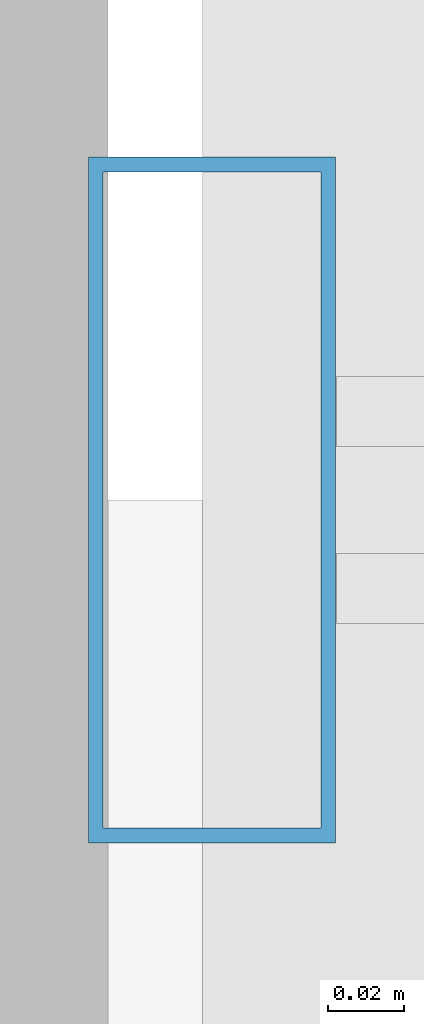
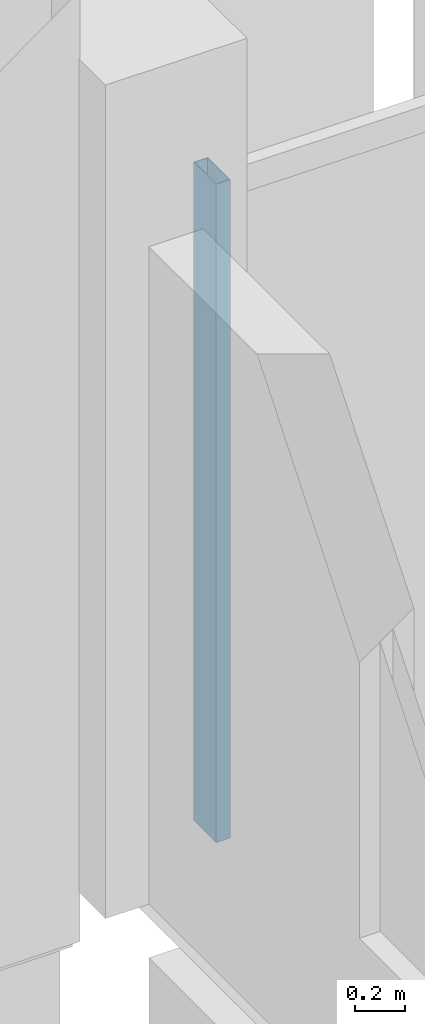
# One storey, part 37 of 108: 1 member, 1 element without a shape of its own.
"""IFC4 building model written with IfcOpenShell, lengths in metres."""

from ifc_helpers import new_model, si_unit, direction, frame, origin, origin_2d, place, context, subcontext, project, spatial, hollow_rectangle, extrude, material, layer, layer_set, material_profile, profile_set, type_object, element, aggregate, save


model = new_model("IFC4")

# Units and contexts
model_context = context("Model", 3, precision=1e-05, world=origin(), true_north=direction((0.0, 1.0)))
body_context = subcontext(model_context, "Body", "Model", "MODEL_VIEW")
ifc_project = project(units=[si_unit("LENGTHUNIT", "METRE"), si_unit("AREAUNIT", "SQUARE_METRE"), si_unit("VOLUMEUNIT", "CUBIC_METRE"), si_unit("PLANEANGLEUNIT", "RADIAN"), si_unit("MASSUNIT", "GRAM", prefix="KILO")], contexts=[model_context])

# Site, building, storey
site_placement = place(None, origin())
site = spatial("IfcSite", under=ifc_project, at=site_placement, CompositionType="ELEMENT")
building_placement = place(site_placement, origin())
building = spatial("IfcBuilding", under=site, at=building_placement, Name="Kangsadwip Square Police Headquarters", CompositionType="ELEMENT")
storey_placement = place(building_placement, frame((0.0, 0.0, 9.449951171875)))
storey = spatial("IfcBuildingStorey", under=building, at=storey_placement, Name="L02", CompositionType="ELEMENT", Elevation=9.449951171875)

# Curtain wall, member
ifc_material_1 = material(Name="Thermally broken anodised aluminium AW-6063-T6", Category="aluminium")
ifc_layer = layer(ifc_material_1, 0.159912109375)
ifc_layer_set = layer_set([ifc_layer], Name="Thermally broken anodised aluminium AW-6063-T6")
curtain_wall_type = type_object("IfcCurtainWallType", Name="UnitisedCw6560x3200", PredefinedType="NOTDEFINED", material=ifc_layer_set)
curtain_wall_placement = place(storey_placement, origin())
curtain_wall = element("IfcCurtainWall", 1, at=curtain_wall_placement, inside=storey, type_object=curtain_wall_type, Name="Curtain Wall CW-L02-0939-1152", PredefinedType="NOTDEFINED")
ifc_material_2 = material(Name="Thermally broken anodised aluminium AW-6063-T6", Category="aluminium")
ifc_material_profile = material_profile(ifc_material_2, hollow_rectangle(XDim=0.06494140625, YDim=0.179931640625, WallThickness=0.00390625, at=origin_2d()), Name="CWM 180X65X4")
ifc_profile_set = profile_set([ifc_material_profile], Name="Thermally broken anodised aluminium AW-6063-T6")
member_type = type_object("IfcMemberType", Name="CwMullion160x65", PredefinedType="MULLION", material=ifc_profile_set)
member_placement = place(storey_placement, frame((93.952392578125, 115.199951171875, 0.0), z_axis=(0.0, 0.0, 1.0), x_axis=(1.0, 0.0, 0.0)))
member = element("IfcMember", 2, at=member_placement, type_object=member_type, Name="CW-20 mullion 1", PredefinedType="MULLION", context=body_context, shape_type="SweptSolid", body=[
    extrude(hollow_rectangle(XDim=0.06494140625, YDim=0.179931640625, WallThickness=0.00390625, at=origin_2d()), origin(), (0.0, 0.0, 1.0), 3.199951171875),
])
aggregate(curtain_wall, [member])

save(model, "model.ifc")
